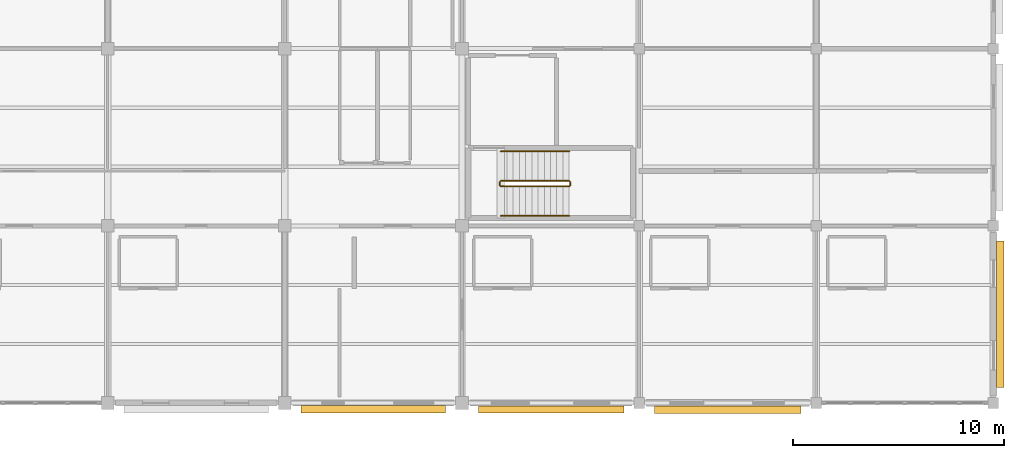
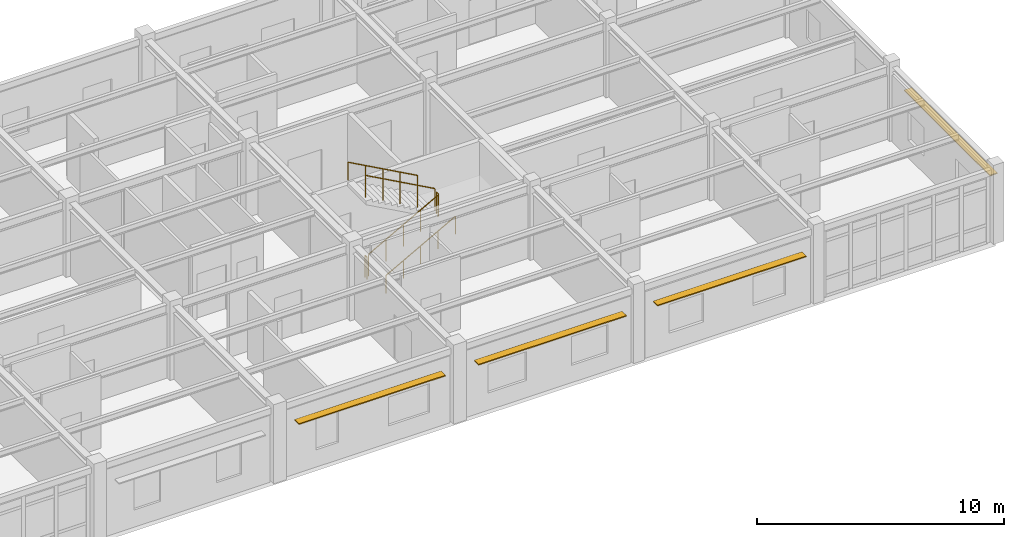
# One storey, part 83 of 86: 6 railings, 4 shading devices.
"""IFC4 building model written with IfcOpenShell, lengths in metres."""

import ifcopenshell
import ifcopenshell.guid

model = None  # the IFC model being written
_history = None  # IfcOwnerHistory: only IFC2X3 demands one
_inside = {}  # id of a spatial element -> (the spatial element, [elements in it])
_under = {}  # id of a project, library or spatial element -> (it, [spatial elements below it])
_declared = {}  # id of a project -> (the project, [libraries it declares])
_typed = {}  # id of a type object -> (the type object, [elements of that type])
_made_of = {}  # id of a material, layer set ... -> (it, [elements and type objects made of it])


def new_model(schema):
    """Start an empty IFC model of exactly this schema.

    Asked for "IFC4X3", IfcOpenShell would pick the latest addendum, in which some entities
    have other attributes; the version numbers below select the first issue.
    IFC2X3 requires an IfcOwnerHistory on every rooted entity: one is made here for all.
    """
    global model, _history
    if schema == "IFC4X3":
        model = ifcopenshell.file(schema_version=(4, 3, 0, 0))
    else:
        model = ifcopenshell.file(schema=schema)
    _inside.clear()
    _under.clear()
    _declared.clear()
    _typed.clear()
    _made_of.clear()
    _history = None
    if model.schema == "IFC2X3":
        org = make("IfcOrganization", Name="unknown")
        user = make(
            "IfcPersonAndOrganization",
            ThePerson=make("IfcPerson", FamilyName="unknown"),
            TheOrganization=org,
        )
        app = make(
            "IfcApplication",
            ApplicationDeveloper=org,
            Version="unknown",
            ApplicationFullName="unknown",
            ApplicationIdentifier="unknown",
        )
        _history = make(
            "IfcOwnerHistory",
            OwningUser=user,
            OwningApplication=app,
            ChangeAction="ADDED",
            CreationDate=0,
        )
    return model


def make(cls, **values):
    """One entity of the class cls with the attributes given. An attribute that is None is left unset."""
    return model.create_entity(
        cls, **{name: value for name, value in values.items() if value is not None}
    )


def rooted(cls, **values):
    """An entity with a GlobalId (a new one), such as an element, a storey or a relation."""
    return make(cls, GlobalId=ifcopenshell.guid.new(), OwnerHistory=_history, **values)


def si_unit(unit_type, name, prefix=None):
    """IfcSIUnit, for example si_unit("LENGTHUNIT", "METRE", prefix="MILLI")."""
    return make("IfcSIUnit", UnitType=unit_type, Prefix=prefix, Name=name)


def assignment(units):
    """IfcUnitAssignment: the units of a project."""
    return None if units is None else make("IfcUnitAssignment", Units=units)


def point(xyz):
    """IfcCartesianPoint."""
    return None if xyz is None else make("IfcCartesianPoint", Coordinates=xyz)


def direction(xyz):
    """IfcDirection."""
    return None if xyz is None else make("IfcDirection", DirectionRatios=xyz)


def frame(location, z_axis=None, x_axis=None):
    """IfcAxis2Placement3D, a coordinate frame: its origin and axes. An axis left out is left unset."""
    return make(
        "IfcAxis2Placement3D",
        Location=point(location),
        Axis=direction(z_axis),
        RefDirection=direction(x_axis),
    )


def frame_2d(location, x_axis=None):
    """IfcAxis2Placement2D, a coordinate frame in the plane: its origin and x axis."""
    return make(
        "IfcAxis2Placement2D", Location=point(location), RefDirection=direction(x_axis)
    )


def origin():
    """The frame at (0, 0, 0) with its axes left unset."""
    return frame((0.0, 0.0, 0.0))


def origin_2d():
    """The frame at (0, 0) in the plane with its x axis left unset."""
    return frame_2d((0.0, 0.0))


def place(relative_to, where):
    """IfcLocalPlacement: puts the frame where relative to a parent placement (None: the world)."""
    return make(
        "IfcLocalPlacement", PlacementRelTo=relative_to, RelativePlacement=where
    )


def context(
    kind, dimensions, precision=None, world=None, true_north=None, identifier=None
):
    """IfcGeometricRepresentationContext, for example the 3D "Model" context."""
    return make(
        "IfcGeometricRepresentationContext",
        ContextIdentifier=identifier,
        ContextType=kind,
        CoordinateSpaceDimension=dimensions,
        Precision=precision,
        WorldCoordinateSystem=world,
        TrueNorth=true_north,
    )


def subcontext(parent, identifier, kind, view, scale=None):
    """IfcGeometricRepresentationSubContext, for example "Body" below "Model"."""
    return make(
        "IfcGeometricRepresentationSubContext",
        ContextIdentifier=identifier,
        ContextType=kind,
        ParentContext=parent,
        TargetScale=scale,
        TargetView=view,
    )


def project(units=None, contexts=None):
    """IfcProject with its units and contexts."""
    return rooted(
        "IfcProject",
        Name="project",
        RepresentationContexts=contexts,
        UnitsInContext=assignment(units),
    )


def spatial(cls, under=None, at=None, **own):
    """A site, building, storey or space (cls), placed at a placement, below another one or the project."""
    s = rooted(cls, ObjectPlacement=at, **own)
    if under is not None:
        _under.setdefault(under.id(), (under, []))[1].append(s)
    return s


def profile(cls, at=None, kind="AREA", **sizes):
    """A parametric profile (cls). Its sizes go by their IFC names, for example OverallWidth=200.0."""
    return make(cls, ProfileType=kind, Position=at, **sizes)


def rectangle(**sizes):
    """IfcRectangleProfileDef."""
    return profile("IfcRectangleProfileDef", **sizes)


def circle(**sizes):
    """IfcCircleProfileDef."""
    return profile("IfcCircleProfileDef", **sizes)


def extrude(swept, where, along, depth):
    """IfcExtrudedAreaSolid: the profile swept, set in the frame where, extruded along a direction by depth."""
    return make(
        "IfcExtrudedAreaSolid",
        SweptArea=swept,
        Position=where,
        ExtrudedDirection=direction(along),
        Depth=depth,
    )


def shape(context_of_items, identifier, shape_type, items):
    """IfcShapeRepresentation: the items that make up one representation, for example the "Body"."""
    return make(
        "IfcShapeRepresentation",
        ContextOfItems=context_of_items,
        RepresentationIdentifier=identifier,
        RepresentationType=shape_type,
        Items=items,
    )


def material(Name=None, Category=None):
    """IfcMaterial."""
    return make("IfcMaterial", Name=Name, Category=Category)


def material_profile(
    of_material, cross_section, Name=None, Category=None, Priority=None
):
    """IfcMaterialProfile: a cross section and its material."""
    return make(
        "IfcMaterialProfile",
        Name=Name,
        Material=of_material,
        Profile=cross_section,
        Priority=Priority,
        Category=Category,
    )


def profile_set(profiles, Name=None, composite=None):
    """IfcMaterialProfileSet."""
    return make(
        "IfcMaterialProfileSet",
        Name=Name,
        MaterialProfiles=profiles,
        CompositeProfile=composite,
    )


def made_of(thing, what):
    """Note that an element or type object is made of a material, layer set ...; save() writes the relation."""
    if what is not None:
        _made_of.setdefault(what.id(), (what, []))[1].append(thing)
    return thing


def type_object(cls, material=None, **own):
    """A type object (cls), such as IfcWallType, which elements share."""
    return made_of(rooted(cls, **own), material)


def element(
    cls,
    number,
    at=None,
    inside=None,
    cuts=None,
    type_object=None,
    material=None,
    context=None,
    identifier="Body",
    shape_type=None,
    held_by="IfcProductDefinitionShape",
    body=None,
    shapes=None,
    **own,
):
    """One element of the class cls, such as IfcWall. Its Tag is "e" and its number.

    at: its placement. inside: the storey or other place that contains it. cuts: it is an
    opening in that element (IfcRelVoidsElement). A single representation is given by context,
    identifier, shape_type and body (its items); several are given by shapes. held_by: the class
    of the entity that holds the representations. save() writes the other relations.
    """
    e = rooted(cls, Tag="e%d" % number, ObjectPlacement=at, **own)
    if body is not None:
        shapes = [shape(context, identifier, shape_type, body)]
    if shapes is not None:
        e.Representation = make(held_by, Representations=shapes)
    if inside is not None:
        _inside.setdefault(inside.id(), (inside, []))[1].append(e)
    if cuts is not None:
        rooted(
            "IfcRelVoidsElement", RelatingBuildingElement=cuts, RelatedOpeningElement=e
        )
    if type_object is not None:
        _typed.setdefault(type_object.id(), (type_object, []))[1].append(e)
    return made_of(e, material)


def aggregate(whole, parts):
    """IfcRelAggregates: a whole, such as a stair, and the parts it consists of."""
    return rooted("IfcRelAggregates", RelatingObject=whole, RelatedObjects=parts)


def save(model, path):
    """Write the relations noted so far, then the file.

    IfcRelAggregates (storeys below a building ...), IfcRelContainedInSpatialStructure (elements
    in a storey), IfcRelDefinesByType, IfcRelAssociatesMaterial and IfcRelDeclares: one each for
    every whole, place, type object, material and project.
    """
    for whole, parts in _under.values():
        aggregate(whole, parts)
    for where, things in _inside.values():
        rooted(
            "IfcRelContainedInSpatialStructure",
            RelatedElements=things,
            RelatingStructure=where,
        )
    for kind, things in _typed.values():
        rooted("IfcRelDefinesByType", RelatedObjects=things, RelatingType=kind)
    for what, things in _made_of.values():
        rooted("IfcRelAssociatesMaterial", RelatedObjects=things, RelatingMaterial=what)
    for by, libraries in _declared.values():
        rooted("IfcRelDeclares", RelatingContext=by, RelatedDefinitions=libraries)
    model.write(path)


model = new_model("IFC4")

# Units and contexts
model_context = context("Model", 3, precision=1e-05, world=origin(), true_north=direction((0.0, 1.0)))
body_context = subcontext(model_context, "Body", "Model", "MODEL_VIEW")
ifc_project = project(units=[si_unit("LENGTHUNIT", "METRE"), si_unit("AREAUNIT", "SQUARE_METRE"), si_unit("VOLUMEUNIT", "CUBIC_METRE"), si_unit("PLANEANGLEUNIT", "RADIAN"), si_unit("MASSUNIT", "GRAM", prefix="KILO")], contexts=[model_context])

# Site, building, storey
site_placement = place(None, origin())
site = spatial("IfcSite", under=ifc_project, at=site_placement, CompositionType="ELEMENT")
building_placement = place(site_placement, origin())
building = spatial("IfcBuilding", under=site, at=building_placement, Name="Bramfleet General Hospital", CompositionType="ELEMENT")
storey_placement = place(building_placement, frame((0.0, 0.0, 18.60009765625)))
storey = spatial("IfcBuildingStorey", under=building, at=storey_placement, Name="L04", CompositionType="ELEMENT", Elevation=18.60009765625)

# Railings
ifc_material_1 = material(Name="Powder-coated steel stair balustrade", Category="steel")
railing_type_1 = type_object("IfcRailingType", Name="RAIL-ST-GUARD", PredefinedType="GUARDRAIL", material=ifc_material_1)
railing_1_placement = place(storey_placement, frame((144.639892578125, 10.27001953125, 0.162353515625)))
element("IfcRailing", 1, at=railing_1_placement, inside=storey, type_object=railing_type_1, Name="L04 ST-C10 stair guard 1", PredefinedType="GUARDRAIL", context=body_context, shape_type="SweptSolid", body=[
    extrude(circle(Radius=0.02392578125, at=origin_2d()), frame((0.0, 0.0, 1.076171875), z_axis=(0.875898504189, 0.0, 0.482495399314), x_axis=(0.0, 1.0, 0.0)), (0.0, 0.0, 1.0), 3.704833984375),
    extrude(circle(Radius=0.02099609375, at=origin_2d()), origin(), (0.0, 0.0, 1.0), 1.052001953125),
    extrude(circle(Radius=0.02099609375, at=origin_2d()), frame((0.811279296875, 0.0, 0.44677734375)), (0.0, 0.0, 1.0), 1.052001953125),
    extrude(circle(Radius=0.02099609375, at=origin_2d()), frame((1.62255859375, 0.0, 0.893798828125)), (0.0, 0.0, 1.0), 1.052001953125),
    extrude(circle(Radius=0.02099609375, at=origin_2d()), frame((2.433837890625, 0.0, 1.3408203125)), (0.0, 0.0, 1.0), 1.052001953125),
    extrude(circle(Radius=0.02099609375, at=origin_2d()), frame((3.2451171875, 0.0, 1.78759765625)), (0.0, 0.0, 1.0), 1.052001953125),
])
railing_2_placement = place(storey_placement, frame((147.93505859375, 10.320068359375, 1.949951171875)))
element("IfcRailing", 2, at=railing_2_placement, inside=storey, type_object=railing_type_1, Name="L04 ST-C10 stair guard 2", PredefinedType="GUARDRAIL", context=body_context, shape_type="SweptSolid", body=[
    extrude(circle(Radius=0.02392578125, at=origin_2d()), frame((0.0, 0.0, 1.076171875), z_axis=(0.0, 1.0, 0.0), x_axis=(-1.0, 0.0, 0.0)), (0.0, 0.0, 1.0), 0.159912109375),
    extrude(circle(Radius=0.02099609375, at=origin_2d()), origin(), (0.0, 0.0, 1.0), 1.052001953125),
    extrude(circle(Radius=0.02099609375, at=origin_2d()), frame((0.0, 0.159912109375, 0.0)), (0.0, 0.0, 1.0), 1.052001953125),
])
railing_3_placement = place(storey_placement, frame((147.885009765625, 10.530029296875, 2.1123046875)))
element("IfcRailing", 3, at=railing_3_placement, inside=storey, type_object=railing_type_1, Name="L04 ST-C10 stair guard 3", PredefinedType="GUARDRAIL", context=body_context, shape_type="SweptSolid", body=[
    extrude(circle(Radius=0.02392578125, at=origin_2d()), frame((0.0, 0.0, 1.076171875), z_axis=(-0.875898504189, 0.0, 0.482495399314), x_axis=(0.0, -1.0, 0.0)), (0.0, 0.0, 1.0), 3.704833984375),
    extrude(circle(Radius=0.02099609375, at=origin_2d()), origin(), (0.0, 0.0, 1.0), 1.052001953125),
    extrude(circle(Radius=0.02099609375, at=origin_2d()), frame((-0.811279296875, 0.0, 0.44677734375)), (0.0, 0.0, 1.0), 1.052001953125),
    extrude(circle(Radius=0.02099609375, at=origin_2d()), frame((-1.62255859375, 0.0, 0.893798828125)), (0.0, 0.0, 1.0), 1.052001953125),
    extrude(circle(Radius=0.02099609375, at=origin_2d()), frame((-2.433837890625, 0.0, 1.3408203125)), (0.0, 0.0, 1.0), 1.052001953125),
    extrude(circle(Radius=0.02099609375, at=origin_2d()), frame((-3.2451171875, 0.0, 1.78759765625)), (0.0, 0.0, 1.0), 1.052001953125),
])
railing_4_placement = place(storey_placement, frame((144.590087890625, 10.320068359375, 0.0)))
element("IfcRailing", 4, at=railing_4_placement, inside=storey, type_object=railing_type_1, Name="L04 ST-C10 stair guard 4", PredefinedType="GUARDRAIL", context=body_context, shape_type="SweptSolid", body=[
    extrude(circle(Radius=0.02392578125, at=origin_2d()), frame((0.0, 0.0, 1.076171875), z_axis=(0.0, 1.0, 0.0), x_axis=(-1.0, 0.0, 0.0)), (0.0, 0.0, 1.0), 0.159912109375),
    extrude(circle(Radius=0.02099609375, at=origin_2d()), origin(), (0.0, 0.0, 1.0), 1.052001953125),
    extrude(circle(Radius=0.02099609375, at=origin_2d()), frame((0.0, 0.159912109375, 0.0)), (0.0, 0.0, 1.0), 1.052001953125),
])
ifc_material_2 = material(Name="Stainless steel 1.4301 stair handrail", Category="steel")
railing_type_2 = type_object("IfcRailingType", Name="RAIL-ST-HND", PredefinedType="HANDRAIL", material=ifc_material_2)
railing_5_placement = place(storey_placement, frame((144.639892578125, 8.8701171875, 0.162353515625)))
element("IfcRailing", 5, at=railing_5_placement, inside=storey, type_object=railing_type_2, Name="L04 ST-C10 stair handrail 1", PredefinedType="HANDRAIL", context=body_context, shape_type="SweptSolid", body=[
    extrude(circle(Radius=0.02392578125, at=origin_2d()), frame((0.0, 0.0, 0.8759765625), z_axis=(0.875898504189, 0.0, 0.482495399314), x_axis=(0.0, 1.0, 0.0)), (0.0, 0.0, 1.0), 3.704833984375),
    extrude(circle(Radius=0.02099609375, at=origin_2d()), origin(), (0.0, 0.0, 1.0), 0.851806640625),
    extrude(circle(Radius=0.02099609375, at=origin_2d()), frame((0.811279296875, 0.0, 0.44677734375)), (0.0, 0.0, 1.0), 0.851806640625),
    extrude(circle(Radius=0.02099609375, at=origin_2d()), frame((1.62255859375, 0.0, 0.893798828125)), (0.0, 0.0, 1.0), 0.851806640625),
    extrude(circle(Radius=0.02099609375, at=origin_2d()), frame((2.433837890625, 0.0, 1.3408203125)), (0.0, 0.0, 1.0), 0.851806640625),
    extrude(circle(Radius=0.02099609375, at=origin_2d()), frame((3.2451171875, 0.0, 1.78759765625)), (0.0, 0.0, 1.0), 0.851806640625),
])
railing_6_placement = place(storey_placement, frame((147.885009765625, 11.929931640625, 2.1123046875)))
element("IfcRailing", 6, at=railing_6_placement, inside=storey, type_object=railing_type_2, Name="L04 ST-C10 stair handrail 2", PredefinedType="HANDRAIL", context=body_context, shape_type="SweptSolid", body=[
    extrude(circle(Radius=0.02392578125, at=origin_2d()), frame((0.0, 0.0, 0.8759765625), z_axis=(-0.875898504189, 0.0, 0.482495399314), x_axis=(0.0, -1.0, 0.0)), (0.0, 0.0, 1.0), 3.704833984375),
    extrude(circle(Radius=0.02099609375, at=origin_2d()), origin(), (0.0, 0.0, 1.0), 0.851806640625),
    extrude(circle(Radius=0.02099609375, at=origin_2d()), frame((-0.811279296875, 0.0, 0.44677734375)), (0.0, 0.0, 1.0), 0.851806640625),
    extrude(circle(Radius=0.02099609375, at=origin_2d()), frame((-1.62255859375, 0.0, 0.893798828125)), (0.0, 0.0, 1.0), 0.851806640625),
    extrude(circle(Radius=0.02099609375, at=origin_2d()), frame((-2.433837890625, 0.0, 1.3408203125)), (0.0, 0.0, 1.0), 0.851806640625),
    extrude(circle(Radius=0.02099609375, at=origin_2d()), frame((-3.2451171875, 0.0, 1.78759765625)), (0.0, 0.0, 1.0), 0.851806640625),
])

# Shading devices
ifc_material_3 = material(Name="Anodised aluminium EN AW-6063", Category="aluminium")
ifc_material_profile = material_profile(ifc_material_3, rectangle(XDim=0.050048828125, YDim=0.35009765625, at=origin_2d()), Name="ALU LOUVRE 350x50")
ifc_profile_set = profile_set([ifc_material_profile], Name="Anodised aluminium EN AW-6063")
shading_device_type = type_object("IfcShadingDeviceType", Name="SHD-LVR-350", PredefinedType="USERDEFINED", material=ifc_profile_set)
for number, where, z_axis, x_axis, name in (
    (7, (168.327392578125, 7.675048828125, 2.669921875), (0.0, -1.0, 0.0), (0.0, 0.0, 1.0), "L04 Solar Shading Louvre 22"),
    (8, (158.875, -0.3173828125, 2.669921875), (-1.0, 0.0, 0.0), (0.0, 0.0, 1.0), "L04 Solar Shading Louvre 23"),
):
    element("IfcShadingDevice", number, at=place(storey_placement, frame(where, z_axis=z_axis, x_axis=x_axis)), inside=storey, type_object=shading_device_type, Name=name, ObjectType="Louvre", PredefinedType="USERDEFINED", context=body_context, shape_type="SweptSolid", body=[
        extrude(rectangle(XDim=0.050048828125, YDim=0.35009765625, at=origin_2d()), origin(), (0.0, 0.0, 1.0), 6.949951171875),
    ])
shading_device_1_placement = place(storey_placement, frame((150.47509765625, -0.3076171875, 2.669921875), z_axis=(-1.0, 0.0, 0.0), x_axis=(0.0, 0.0, 1.0)))
element("IfcShadingDevice", 9, at=shading_device_1_placement, inside=storey, type_object=shading_device_type, Name="L04 Solar Shading Louvre 24", ObjectType="Louvre", PredefinedType="USERDEFINED", context=body_context, shape_type="SweptSolid", body=[
    extrude(rectangle(XDim=0.050048828125, YDim=0.35009765625, at=origin_2d()), origin(), (0.0, 0.0, 1.0), 6.900146484375),
])
shading_device_2_placement = place(storey_placement, frame((142.02490234375, -0.300048828125, 2.669921875), z_axis=(-1.0, 0.0, 0.0), x_axis=(0.0, 0.0, 1.0)))
element("IfcShadingDevice", 10, at=shading_device_2_placement, inside=storey, type_object=shading_device_type, Name="L04 Solar Shading Louvre 25", ObjectType="Louvre", PredefinedType="USERDEFINED", context=body_context, shape_type="SweptSolid", body=[
    extrude(rectangle(XDim=0.050048828125, YDim=0.35009765625, at=origin_2d()), origin(), (0.0, 0.0, 1.0), 6.849853515625),
])

save(model, "model.ifc")
